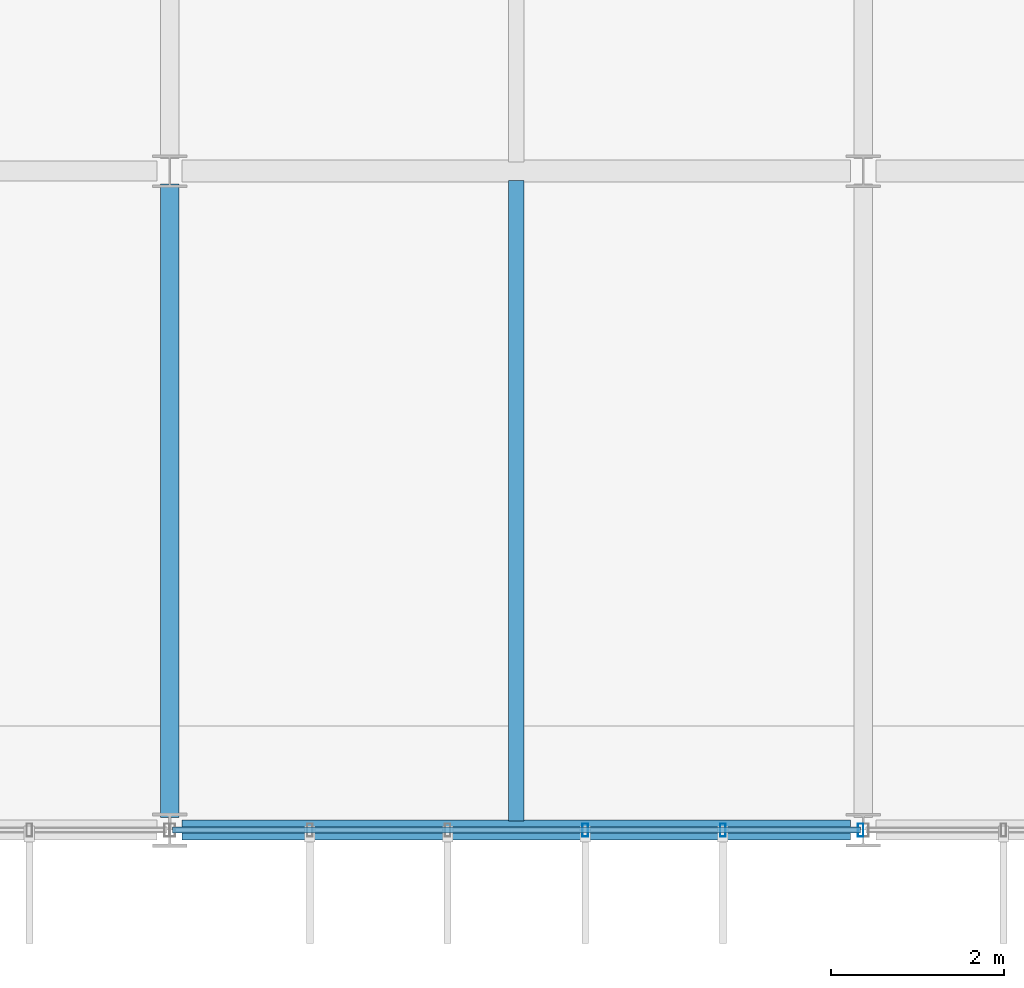
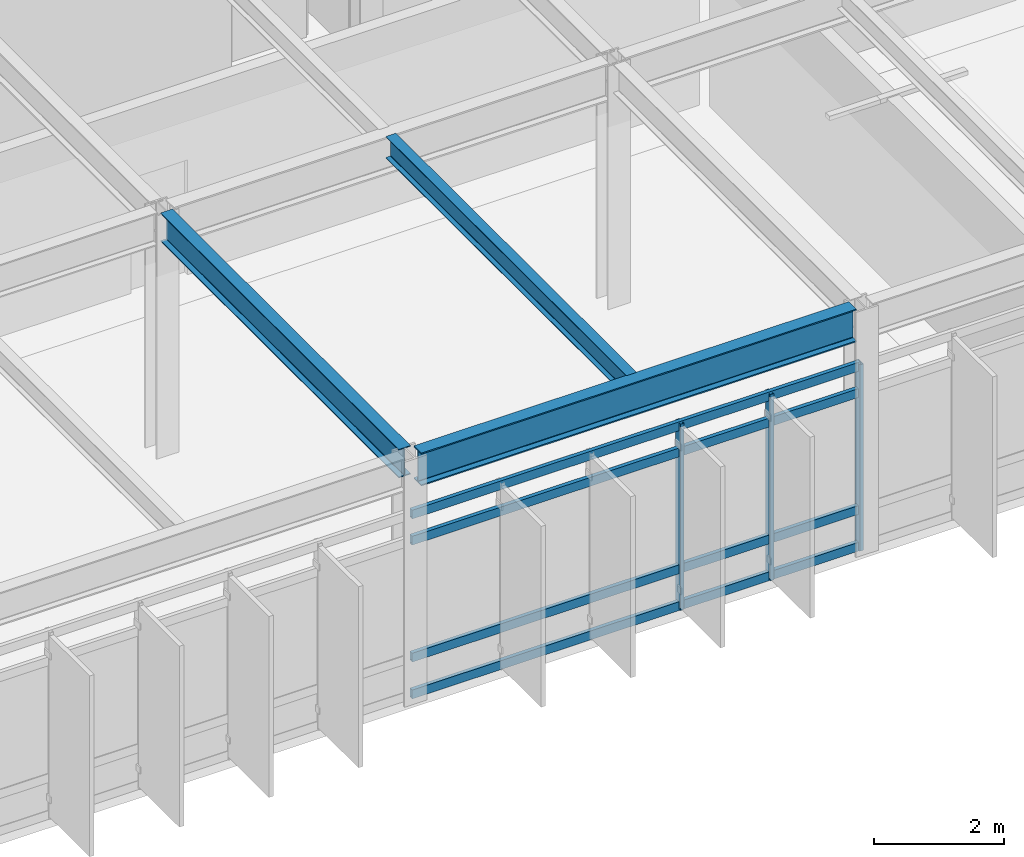
# One storey, part 22 of 104: 7 members, 3 beams, 1 element without a shape of its own.
"""IFC4 building model written with IfcOpenShell, lengths in metres."""

from ifc_helpers import new_model, si_unit, direction, frame, origin, origin_2d, place, context, subcontext, project, spatial, hollow_rectangle, i_section, extrude, material, material_profile, profile_set, type_object, element, aggregate, save


model = new_model("IFC4")

# Units and contexts
model_context = context("Model", 3, precision=1e-05, world=origin(), true_north=direction((0.0, 1.0)))
body_context = subcontext(model_context, "Body", "Model", "MODEL_VIEW")
ifc_project = project(units=[si_unit("LENGTHUNIT", "METRE"), si_unit("AREAUNIT", "SQUARE_METRE"), si_unit("VOLUMEUNIT", "CUBIC_METRE"), si_unit("PLANEANGLEUNIT", "RADIAN"), si_unit("MASSUNIT", "GRAM", prefix="KILO")], contexts=[model_context])

# Site, building, storey
site_placement = place(None, origin())
site = spatial("IfcSite", under=ifc_project, at=site_placement, CompositionType="ELEMENT")
building_placement = place(site_placement, origin())
building = spatial("IfcBuilding", under=site, at=building_placement, Name="Zulena Civic Courthouse", CompositionType="ELEMENT")
storey_placement = place(building_placement, frame((0.0, 0.0, 10.800048828125)))
storey = spatial("IfcBuildingStorey", under=building, at=storey_placement, Name="L02", CompositionType="ELEMENT", Elevation=10.800048828125)

# Curtain wall, members
ifc_material_1 = material(Name="Double-silver low-E laminated solar-control glass", Category="glass")
curtain_wall_type = type_object("IfcCurtainWallType", Name="CW_7940x3490", PredefinedType="USERDEFINED", material=ifc_material_1)
curtain_wall_placement = place(storey_placement, origin())
curtain_wall = element("IfcCurtainWall", 1, at=curtain_wall_placement, inside=storey, type_object=curtain_wall_type, Name="cw:V2:L02:5:4", ObjectType="UNITISED CURTAIN WALL", PredefinedType="USERDEFINED")
ifc_material_2 = material(Name="Bronze anodised thermally broken aluminium AA6063-T6", Category="aluminium")
ifc_material_profile_1 = material_profile(ifc_material_2, hollow_rectangle(XDim=0.06494140625, YDim=0.14990234375, WallThickness=0.00390625, at=origin_2d()), Name="CWM150X65X4")
ifc_profile_set_1 = profile_set([ifc_material_profile_1], Name="Bronze anodised thermally broken aluminium AA6063-T6")
member_type_1 = type_object("IfcMemberType", Name="CWMullion_150x65", PredefinedType="MULLION", material=ifc_profile_set_1)
member_1_placement = place(storey_placement, frame((19.969970703125, 0.0, 0.0), z_axis=(0.0, 0.0, 1.0), x_axis=(1.0, 0.0, 0.0)))
member_1 = element("IfcMember", 2, at=member_1_placement, type_object=member_type_1, Name="cw:V2:L02:5:4:mull:0", PredefinedType="MULLION", context=body_context, shape_type="SweptSolid", body=[
    extrude(hollow_rectangle(XDim=0.06494140625, YDim=0.14990234375, WallThickness=0.00390625, at=origin_2d()), origin(), (0.0, 0.0, 1.0), 3.489990234375),
])
member_2_placement = place(storey_placement, frame((18.382080078125, 0.0, 0.0), z_axis=(0.0, 0.0, 1.0), x_axis=(1.0, 0.0, 0.0)))
member_2 = element("IfcMember", 3, at=member_2_placement, type_object=member_type_1, Name="cw:V2:L02:5:4:mull:1", PredefinedType="MULLION", context=body_context, shape_type="SweptSolid", body=[
    extrude(hollow_rectangle(XDim=0.06494140625, YDim=0.14990234375, WallThickness=0.00390625, at=origin_2d()), origin(), (0.0, 0.0, 1.0), 3.489990234375),
])
member_3_placement = place(storey_placement, frame((16.7939453125, 0.0, 0.0), z_axis=(0.0, 0.0, 1.0), x_axis=(1.0, 0.0, 0.0)))
member_3 = element("IfcMember", 4, at=member_3_placement, type_object=member_type_1, Name="cw:V2:L02:5:4:mull:2", PredefinedType="MULLION", context=body_context, shape_type="SweptSolid", body=[
    extrude(hollow_rectangle(XDim=0.06494140625, YDim=0.14990234375, WallThickness=0.00390625, at=origin_2d()), origin(), (0.0, 0.0, 1.0), 3.489990234375),
])
ifc_material_profile_2 = material_profile(ifc_material_2, hollow_rectangle(XDim=0.070068359375, YDim=0.1650390625, WallThickness=0.00390625, at=origin_2d()), Name="CWT165X70X4")
ifc_profile_set_2 = profile_set([ifc_material_profile_2], Name="Bronze anodised thermally broken aluminium AA6063-T6")
member_type_2 = type_object("IfcMemberType", Name="CWTransom_165x70", PredefinedType="USERDEFINED", material=ifc_profile_set_2)
member_4_placement = place(storey_placement, frame((19.969970703125, 0.0, 0.06005859375), z_axis=(-1.0, 0.0, 0.0), x_axis=(0.0, -1.0, 0.0)))
member_4 = element("IfcMember", 5, at=member_4_placement, type_object=member_type_2, Name="cw:V2:L02:5:4:tran:0", ObjectType="TRANSOM", PredefinedType="USERDEFINED", context=body_context, shape_type="SweptSolid", body=[
    extrude(hollow_rectangle(XDim=0.070068359375, YDim=0.1650390625, WallThickness=0.00390625, at=origin_2d()), origin(), (0.0, 0.0, 1.0), 7.93994140625),
])
member_5_placement = place(storey_placement, frame((19.969970703125, 0.0, 0.75), z_axis=(-1.0, 0.0, 0.0), x_axis=(0.0, -1.0, 0.0)))
member_5 = element("IfcMember", 6, at=member_5_placement, type_object=member_type_2, Name="cw:V2:L02:5:4:tran:1", ObjectType="TRANSOM", PredefinedType="USERDEFINED", context=body_context, shape_type="SweptSolid", body=[
    extrude(hollow_rectangle(XDim=0.070068359375, YDim=0.1650390625, WallThickness=0.00390625, at=origin_2d()), origin(), (0.0, 0.0, 1.0), 7.93994140625),
])
member_6_placement = place(storey_placement, frame((19.969970703125, 0.0, 2.93994140625), z_axis=(-1.0, 0.0, 0.0), x_axis=(0.0, -1.0, 0.0)))
member_6 = element("IfcMember", 7, at=member_6_placement, type_object=member_type_2, Name="cw:V2:L02:5:4:tran:2", ObjectType="TRANSOM", PredefinedType="USERDEFINED", context=body_context, shape_type="SweptSolid", body=[
    extrude(hollow_rectangle(XDim=0.070068359375, YDim=0.1650390625, WallThickness=0.00390625, at=origin_2d()), origin(), (0.0, 0.0, 1.0), 7.93994140625),
])
member_7_placement = place(storey_placement, frame((19.969970703125, 0.0, 3.429931640625), z_axis=(-1.0, 0.0, 0.0), x_axis=(0.0, -1.0, 0.0)))
member_7 = element("IfcMember", 8, at=member_7_placement, type_object=member_type_2, Name="cw:V2:L02:5:4:tran:3", ObjectType="TRANSOM", PredefinedType="USERDEFINED", context=body_context, shape_type="SweptSolid", body=[
    extrude(hollow_rectangle(XDim=0.070068359375, YDim=0.1650390625, WallThickness=0.00390625, at=origin_2d()), origin(), (0.0, 0.0, 1.0), 7.93994140625),
])
aggregate(curtain_wall, [member_1, member_2, member_3, member_4, member_5, member_6, member_7])

# Beams
ifc_material_3 = material(Name="Steel ASTM A992 Grade 50", Category="steel")
ifc_material_profile_3 = material_profile(ifc_material_3, i_section(OverallWidth=0.177978515625, OverallDepth=0.406005859375, WebThickness=0.0078125, FlangeThickness=0.0126953125, FilletRadius=0.01025390625, at=origin_2d()), Name="W16X40")
ifc_profile_set_3 = profile_set([ifc_material_profile_3], Name="Steel ASTM A992 Grade 50")
beam_type_1 = type_object("IfcBeamType", Name="Joist_W16X40", PredefinedType="JOIST", material=ifc_profile_set_3)
beam_1_placement = place(storey_placement, frame((16.0, 0.10498046875, 4.386962890625), z_axis=(0.0, 1.0, 0.0), x_axis=(-1.0, 0.0, 0.0)))
element("IfcBeam", 9, at=beam_1_placement, inside=storey, type_object=beam_type_1, Name="joist:V2:L02:16.00:0.0_7.6", PredefinedType="JOIST", context=body_context, shape_type="SweptSolid", body=[
    extrude(i_section(OverallWidth=0.177978515625, OverallDepth=0.406005859375, WebThickness=0.0078125, FlangeThickness=0.0126953125, FilletRadius=0.01025390625, at=origin_2d()), origin(), (0.0, 0.0, 1.0), 7.39013671875),
])
ifc_material_profile_4 = material_profile(ifc_material_3, i_section(OverallWidth=0.2099609375, OverallDepth=0.537109375, WebThickness=0.010986328125, FlangeThickness=0.017333984375, FilletRadius=0.0126953125, at=origin_2d()), Name="W21X68")
ifc_profile_set_4 = profile_set([ifc_material_profile_4], Name="Steel ASTM A992 Grade 50")
beam_type_2 = type_object("IfcBeamType", Name="Spandrel_W21X68", PredefinedType="SPANDREL", material=ifc_profile_set_4)
beam_2_placement = place(storey_placement, frame((12.0, 0.14501953125, 4.321533203125), z_axis=(0.0, 1.0, 0.0), x_axis=(-1.0, 0.0, 0.0)))
element("IfcBeam", 10, at=beam_2_placement, inside=storey, type_object=beam_type_2, Name="beam:Y:V2:L02:12.0:0.0_7.6", PredefinedType="SPANDREL", context=body_context, shape_type="SweptSolid", body=[
    extrude(i_section(OverallWidth=0.2099609375, OverallDepth=0.537109375, WebThickness=0.010986328125, FlangeThickness=0.017333984375, FilletRadius=0.0126953125, at=origin_2d()), origin(), (0.0, 0.0, 1.0), 7.31005859375),
])
ifc_material_profile_5 = material_profile(ifc_material_3, i_section(OverallWidth=0.22998046875, OverallDepth=0.616943359375, WebThickness=0.01318359375, FlangeThickness=0.022216796875, FilletRadius=0.0126953125, at=origin_2d()), Name="W24X94")
ifc_profile_set_5 = profile_set([ifc_material_profile_5], Name="Steel ASTM A992 Grade 50")
beam_type_3 = type_object("IfcBeamType", Name="Spandrel_W24X94", PredefinedType="SPANDREL", material=ifc_profile_set_5)
beam_3_placement = place(storey_placement, frame((12.14501953125, 0.0, 4.281494140625), z_axis=(1.0, 0.0, 0.0), x_axis=(0.0, 1.0, 0.0)))
element("IfcBeam", 11, at=beam_3_placement, inside=storey, type_object=beam_type_3, Name="beam:X:V2:L02:0.0:12.0_20.0", PredefinedType="SPANDREL", context=body_context, shape_type="SweptSolid", body=[
    extrude(i_section(OverallWidth=0.22998046875, OverallDepth=0.616943359375, WebThickness=0.01318359375, FlangeThickness=0.022216796875, FilletRadius=0.0126953125, at=origin_2d()), origin(), (0.0, 0.0, 1.0), 7.7099609375),
])

save(model, "model.ifc")
